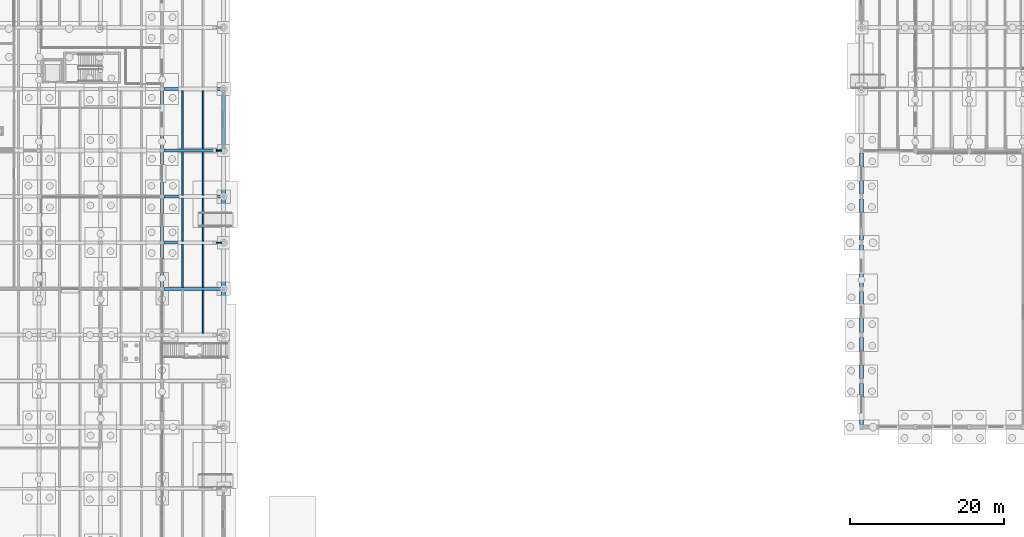
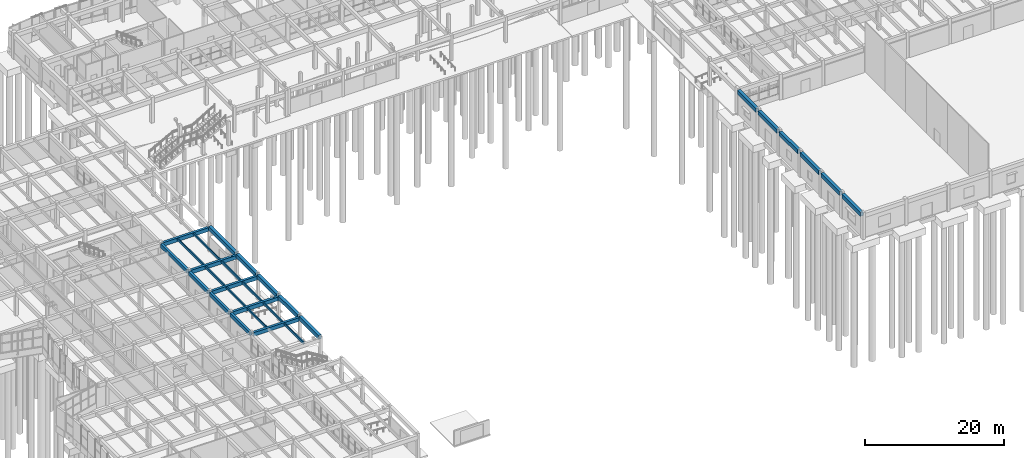
# One storey, part 22 of 99: 29 beams, 2 members.
"""IFC4 building model written with IfcOpenShell, lengths in metres."""

from ifc_helpers import new_model, si_unit, direction, frame, origin, origin_2d, place, context, subcontext, project, spatial, rectangle, hollow_circle, extrude, material, material_profile, profile_set, type_object, element, save


model = new_model("IFC4")

# Units and contexts
model_context = context("Model", 3, precision=1e-05, world=origin(), true_north=direction((0.0, 1.0)))
body_context = subcontext(model_context, "Body", "Model", "MODEL_VIEW")
ifc_project = project(units=[si_unit("LENGTHUNIT", "METRE"), si_unit("AREAUNIT", "SQUARE_METRE"), si_unit("VOLUMEUNIT", "CUBIC_METRE"), si_unit("PLANEANGLEUNIT", "RADIAN"), si_unit("MASSUNIT", "GRAM", prefix="KILO")], contexts=[model_context])

# Site, building, storey
site_placement = place(None, origin())
site = spatial("IfcSite", under=ifc_project, at=site_placement, CompositionType="ELEMENT")
building_placement = place(site_placement, origin())
building = spatial("IfcBuilding", under=site, at=building_placement, Name="Tonlespit Floodbar School", CompositionType="ELEMENT")
storey_placement = place(building_placement, origin())
storey = spatial("IfcBuildingStorey", under=building, at=storey_placement, Name="L00", CompositionType="ELEMENT", Elevation=0.0)

# Beams
ifc_material_1 = material(Name="Concrete C40/50", Category="concrete")
ifc_material_profile_1 = material_profile(ifc_material_1, rectangle(XDim=0.39990234375, YDim=0.64990234375, at=origin_2d()), Name="RC 400x650")
ifc_profile_set_1 = profile_set([ifc_material_profile_1], Name="Concrete C40/50")
beam_type_1 = type_object("IfcBeamType", Name="Beam_RC_400x650", PredefinedType="BEAM", material=ifc_profile_set_1)
for number, where, z_axis, x_axis, name in (
    (1, (36.25, 38.0, 3.9150390625), (1.0, 0.0, 0.0), (0.0, 1.0, 0.0), "L00 girder 0035"),
    (2, (36.25, 44.0, 3.9150390625), (1.0, 0.0, 0.0), (0.0, 1.0, 0.0), "L00 girder 0039"),
    (3, (36.25, 50.0, 3.9150390625), (1.0, 0.0, 0.0), (0.0, 1.0, 0.0), "L00 girder 0043"),
    (4, (36.25, 56.0, 3.9150390625), (1.0, 0.0, 0.0), (0.0, 1.0, 0.0), "L00 girder 0048"),
    (5, (36.25, 64.0, 3.9150390625), (1.0, 0.0, 0.0), (0.0, 1.0, 0.0), "L00 girder 0060"),
):
    element("IfcBeam", number, at=place(storey_placement, frame(where, z_axis=z_axis, x_axis=x_axis)), inside=storey, type_object=beam_type_1, Name=name, PredefinedType="BEAM", context=body_context, shape_type="SweptSolid", body=[
        extrude(rectangle(XDim=0.39990234375, YDim=0.64990234375, at=origin_2d()), origin(), (0.0, 0.0, 1.0), 7.550048828125),
    ])
for number, where, z_axis, x_axis, name in (
    (6, (36.0, 38.25, 3.9150390625), (0.0, 1.0, 0.0), (-1.0, 0.0, 0.0), "L00 girder 0213"),
    (7, (36.0, 44.25, 3.9150390625), (0.0, 1.0, 0.0), (-1.0, 0.0, 0.0), "L00 girder 0214"),
    (8, (36.0, 50.25, 3.9150390625), (0.0, 1.0, 0.0), (-1.0, 0.0, 0.0), "L00 girder 0215"),
):
    element("IfcBeam", number, at=place(storey_placement, frame(where, z_axis=z_axis, x_axis=x_axis)), inside=storey, type_object=beam_type_1, Name=name, PredefinedType="BEAM", context=body_context, shape_type="SweptSolid", body=[
        extrude(rectangle(XDim=0.39990234375, YDim=0.64990234375, at=origin_2d()), origin(), (0.0, 0.0, 1.0), 5.5),
    ])
beam_1_placement = place(storey_placement, frame((36.0, 56.25, 3.9150390625), z_axis=(0.0, 1.0, 0.0), x_axis=(-1.0, 0.0, 0.0)))
element("IfcBeam", 9, at=beam_1_placement, inside=storey, type_object=beam_type_1, Name="L00 girder 0216", PredefinedType="BEAM", context=body_context, shape_type="SweptSolid", body=[
    extrude(rectangle(XDim=0.39990234375, YDim=0.64990234375, at=origin_2d()), origin(), (0.0, 0.0, 1.0), 7.5),
])
ifc_material_2 = material(Name="Glulam GL28h", Category="wood")
ifc_material_profile_2 = material_profile(ifc_material_2, rectangle(XDim=0.179931640625, YDim=0.39990234375, at=origin_2d()), Name="GL 180x400")
ifc_profile_set_2 = profile_set([ifc_material_profile_2], Name="Glulam GL28h")
beam_type_2 = type_object("IfcBeamType", Name="Joist_GL_180x400", PredefinedType="JOIST", material=ifc_profile_set_2)
for number, where, z_axis, x_axis, name in (
    (10, (41.333251953125, 32.199951171875, 4.0400390625), (0.0, 1.0, 0.0), (-1.0, 0.0, 0.0), "L00 secondary joist 0372"),
    (11, (38.666748046875, 38.199951171875, 4.0400390625), (0.0, 1.0, 0.0), (-1.0, 0.0, 0.0), "L00 secondary joist 0379"),
    (12, (41.333251953125, 38.199951171875, 4.0400390625), (0.0, 1.0, 0.0), (-1.0, 0.0, 0.0), "L00 secondary joist 0380"),
    (13, (38.666748046875, 44.199951171875, 4.0400390625), (0.0, 1.0, 0.0), (-1.0, 0.0, 0.0), "L00 secondary joist 0387"),
    (14, (41.333251953125, 44.199951171875, 4.0400390625), (0.0, 1.0, 0.0), (-1.0, 0.0, 0.0), "L00 secondary joist 0388"),
    (15, (38.666748046875, 50.199951171875, 4.0400390625), (0.0, 1.0, 0.0), (-1.0, 0.0, 0.0), "L00 secondary joist 0395"),
    (16, (41.333251953125, 50.199951171875, 4.0400390625), (0.0, 1.0, 0.0), (-1.0, 0.0, 0.0), "L00 secondary joist 0396"),
):
    element("IfcBeam", number, at=place(storey_placement, frame(where, z_axis=z_axis, x_axis=x_axis)), inside=storey, type_object=beam_type_2, Name=name, PredefinedType="JOIST", context=body_context, shape_type="SweptSolid", body=[
        extrude(rectangle(XDim=0.179931640625, YDim=0.39990234375, at=origin_2d()), origin(), (0.0, 0.0, 1.0), 5.60009765625),
    ])
for number, where, z_axis, x_axis, name in (
    (17, (38.666748046875, 56.199951171875, 4.0400390625), (0.0, 1.0, 0.0), (-1.0, 0.0, 0.0), "L00 secondary joist 0403"),
    (18, (41.333251953125, 56.199951171875, 4.0400390625), (0.0, 1.0, 0.0), (-1.0, 0.0, 0.0), "L00 secondary joist 0404"),
):
    element("IfcBeam", number, at=place(storey_placement, frame(where, z_axis=z_axis, x_axis=x_axis)), inside=storey, type_object=beam_type_2, Name=name, PredefinedType="JOIST", context=body_context, shape_type="SweptSolid", body=[
        extrude(rectangle(XDim=0.179931640625, YDim=0.39990234375, at=origin_2d()), origin(), (0.0, 0.0, 1.0), 7.60009765625),
    ])
ifc_material_profile_3 = material_profile(ifc_material_1, rectangle(XDim=0.5, YDim=0.699951171875, at=origin_2d()), Name="RC 500x700")
ifc_profile_set_3 = profile_set([ifc_material_profile_3], Name="Concrete C40/50")
beam_type_3 = type_object("IfcBeamType", Name="Spandrel_RC_500x700", PredefinedType="SPANDREL", material=ifc_profile_set_3)
for number, where, z_axis, x_axis, name in (
    (19, (44.0, 32.199951171875, 4.14990234375), (0.0, 1.0, 0.0), (-1.0, 0.0, 0.0), "L00 girder 0224"),
    (20, (44.0, 38.199951171875, 4.14990234375), (0.0, 1.0, 0.0), (-1.0, 0.0, 0.0), "L00 girder 0225"),
    (21, (44.0, 44.199951171875, 4.14990234375), (0.0, 1.0, 0.0), (-1.0, 0.0, 0.0), "L00 girder 0226"),
    (22, (44.0, 50.199951171875, 4.14990234375), (0.0, 1.0, 0.0), (-1.0, 0.0, 0.0), "L00 girder 0227"),
):
    element("IfcBeam", number, at=place(storey_placement, frame(where, z_axis=z_axis, x_axis=x_axis)), inside=storey, type_object=beam_type_3, Name=name, PredefinedType="SPANDREL", context=body_context, shape_type="SweptSolid", body=[
        extrude(rectangle(XDim=0.5, YDim=0.699951171875, at=origin_2d()), origin(), (0.0, 0.0, 1.0), 5.60009765625),
    ])
beam_2_placement = place(storey_placement, frame((44.0, 56.199951171875, 4.14990234375), z_axis=(0.0, 1.0, 0.0), x_axis=(-1.0, 0.0, 0.0)))
element("IfcBeam", 23, at=beam_2_placement, inside=storey, type_object=beam_type_3, Name="L00 girder 0228", PredefinedType="SPANDREL", context=body_context, shape_type="SweptSolid", body=[
    extrude(rectangle(XDim=0.5, YDim=0.699951171875, at=origin_2d()), origin(), (0.0, 0.0, 1.0), 7.60009765625),
])
for number, where, z_axis, x_axis, name in (
    (24, (127.0, 20.324951171875, 3.889892578125), (0.0, 1.0, 0.0), (-1.0, 0.0, 0.0), "L00 girder 0261"),
    (25, (127.0, 26.324951171875, 3.889892578125), (0.0, 1.0, 0.0), (-1.0, 0.0, 0.0), "L00 girder 0262"),
    (26, (127.0, 32.324951171875, 3.889892578125), (0.0, 1.0, 0.0), (-1.0, 0.0, 0.0), "L00 girder 0263"),
    (27, (127.0, 38.324951171875, 3.889892578125), (0.0, 1.0, 0.0), (-1.0, 0.0, 0.0), "L00 girder 0264"),
    (28, (127.0, 44.324951171875, 3.889892578125), (0.0, 1.0, 0.0), (-1.0, 0.0, 0.0), "L00 girder 0265"),
    (29, (127.0, 50.324951171875, 3.889892578125), (0.0, 1.0, 0.0), (-1.0, 0.0, 0.0), "L00 girder 0266"),
):
    element("IfcBeam", number, at=place(storey_placement, frame(where, z_axis=z_axis, x_axis=x_axis)), inside=storey, type_object=beam_type_3, Name=name, PredefinedType="SPANDREL", context=body_context, shape_type="SweptSolid", body=[
        extrude(rectangle(XDim=0.5, YDim=0.699951171875, at=origin_2d()), origin(), (0.0, 0.0, 1.0), 5.35009765625),
    ])

# Members
ifc_material_3 = material(Name="Steel S355", Category="steel")
ifc_material_profile_4 = material_profile(ifc_material_3, hollow_circle(Radius=0.06982421875, WallThickness=0.00634765625, at=origin_2d()), Name="CHS 139.7x6.3")
ifc_profile_set_4 = profile_set([ifc_material_profile_4], Name="Steel S355")
member_type = type_object("IfcMemberType", Name="Strut_STL_CHS139", PredefinedType="STRUT", material=ifc_profile_set_4)
for number, where, z_axis, x_axis, name in (
    (30, (44.0, 44.0, 3.300048828125), (-0.68391798523, 0.0, 0.729558900623), (0.0, -1.0, 0.0), "West colonnade canopy strut 4"),
    (31, (44.0, 56.0, 3.300048828125), (-0.68391798523, 0.0, 0.729558900623), (0.0, -1.0, 0.0), "West colonnade canopy strut 5"),
):
    element("IfcMember", number, at=place(storey_placement, frame(where, z_axis=z_axis, x_axis=x_axis)), inside=storey, type_object=member_type, Name=name, PredefinedType="STRUT", context=body_context, shape_type="SweptSolid", body=[
        extrude(hollow_circle(Radius=0.06982421875, WallThickness=0.00634765625, at=origin_2d()), origin(), (0.0, 0.0, 1.0), 1.754638671875),
    ])

save(model, "model.ifc")
